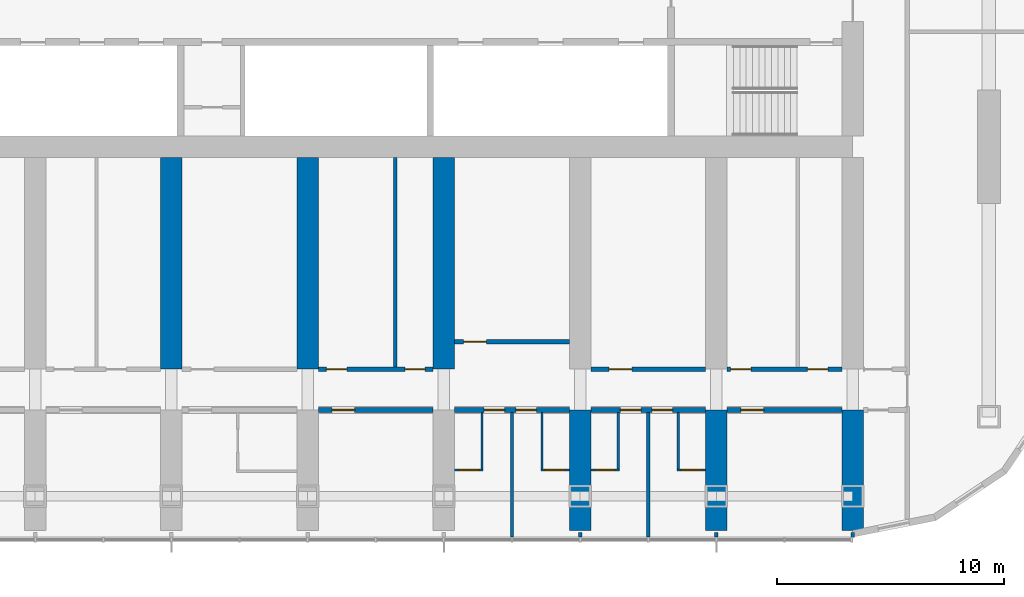
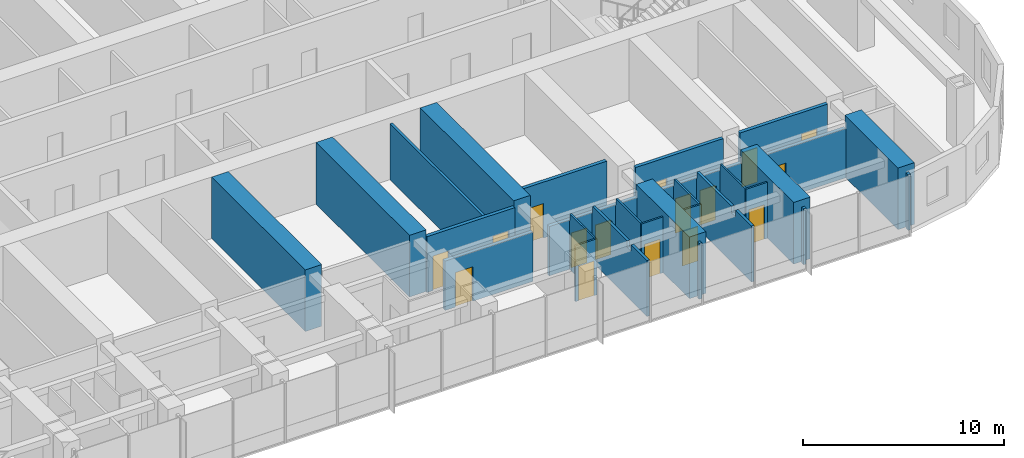
# One storey, part 10 of 20: 28 walls, 16 doors, 16 openings.
"""IFC4 building model written with IfcOpenShell, lengths in metres."""

from ifc_helpers import new_model, si_unit, direction, frame, frame_2d, origin, place, context, subcontext, project, spatial, polyline, rectangle, outline, extrude, material, layer, layer_set, type_object, element, fill, save


model = new_model("IFC4")

# Units and contexts
model_context = context("Model", 3, precision=1e-05, world=origin(), true_north=direction((0.0, 1.0)))
body_context = subcontext(model_context, "Body", "Model", "MODEL_VIEW")
ifc_project = project(units=[si_unit("LENGTHUNIT", "METRE"), si_unit("AREAUNIT", "SQUARE_METRE"), si_unit("VOLUMEUNIT", "CUBIC_METRE"), si_unit("PLANEANGLEUNIT", "RADIAN"), si_unit("MASSUNIT", "GRAM", prefix="KILO")], contexts=[model_context])

# Site, building, storey
site_placement = place(None, origin())
site = spatial("IfcSite", under=ifc_project, at=site_placement, CompositionType="ELEMENT")
building_placement = place(site_placement, origin())
building = spatial("IfcBuilding", under=site, at=building_placement, Name="Orbita Commons", CompositionType="ELEMENT")
storey_placement = place(building_placement, frame((0.0, 0.0, 129.39990234375)))
storey = spatial("IfcBuildingStorey", under=building, at=storey_placement, Name="L32", CompositionType="ELEMENT", Elevation=129.39990234375)

# Wall, opening, door
ifc_material_1 = material(Name="Concrete blockwork", Category="masonry")
ifc_layer_1 = layer(ifc_material_1, 0.199951171875)
ifc_layer_set_1 = layer_set([ifc_layer_1], Name="Concrete blockwork")
wall_type_1 = type_object("IfcWallType", Name="Corridor wall 200 blockwork", PredefinedType="SOLIDWALL", material=ifc_layer_set_1)
wall_1_placement = place(storey_placement, frame((42.47509765625, 14.199951171875, 0.0), z_axis=(0.0, 0.0, 1.0), x_axis=(1.0, 0.0, 0.0)))
wall_1 = element("IfcWall", 1, at=wall_1_placement, inside=storey, type_object=wall_type_1, Name="Corridor wall 200 blockwork L32", PredefinedType="SOLIDWALL", context=body_context, shape_type="SweptSolid", body=[
    extrude(outline(polyline([(0.0, 0.0), (5.0498046875, 0.0), (5.050048828125, 3.0), (0.0, 3.0), (0.0, 0.0)])), frame((0.0, 0.10009765625, 0.0), z_axis=(0.0, -1.0, 0.0), x_axis=(1.0, 0.0, 0.0)), (0.0, 0.0, 1.0), 0.199951171875),
])
opening_1_placement = place(wall_1_placement, frame((0.60009765625, 0.0, 0.0)))
opening_1 = element("IfcOpeningElement", 2, at=opening_1_placement, cuts=wall_1, Name="Opening D06", PredefinedType="OPENING", context=body_context, shape_type="SweptSolid", body=[
    extrude(rectangle(XDim=1.0, YDim=2.10009765625, at=frame_2d((0.5, 1.050048828125))), frame((0.0, 0.10986328125, 0.0), z_axis=(0.0, -1.0, 0.0), x_axis=(1.0, 0.0, 0.0)), (0.0, 0.0, 1.0), 0.219970703125),
])
ifc_material_2 = material(Name="Steel-faced fire door leaf", Category="steel")
door_type_1 = type_object("IfcDoorType", Name="Corridor door 20 min 1000x2100", OperationType="SINGLE_SWING_LEFT", PredefinedType="DOOR", material=ifc_material_2)
door_1_placement = place(opening_1_placement, origin())
door_1 = element("IfcDoor", 3, at=door_1_placement, inside=storey, type_object=door_type_1, Name="Mountain-view lounge L32-S10 door", OperationType="SINGLE_SWING_LEFT", OverallHeight=2.10009765625, OverallWidth=1.0, PredefinedType="DOOR", context=body_context, shape_type="SweptSolid", body=[
    extrude(rectangle(XDim=1.0, YDim=2.10009765625, at=frame_2d((0.5, 1.050048828125))), frame((0.0, 0.02490234375, 0.0), z_axis=(0.0, -1.0, 0.0), x_axis=(1.0, 0.0, 0.0)), (0.0, 0.0, 1.0), 0.050048828125),
])
fill(opening_1, door_1)

# Wall, openings, doors
wall_2_placement = place(storey_placement, frame((48.47509765625, 14.199951171875, 0.0), z_axis=(0.0, 0.0, 1.0), x_axis=(1.0, 0.0, 0.0)))
wall_2 = element("IfcWall", 4, at=wall_2_placement, inside=storey, type_object=wall_type_1, Name="Corridor wall 200 blockwork L32", PredefinedType="SOLIDWALL", context=body_context, shape_type="SweptSolid", body=[
    extrude(outline(polyline([(0.0, 0.0), (5.0498046875, 0.0), (5.050048828125, 3.0), (0.0, 3.0), (0.0, 0.0)])), frame((0.0, 0.10009765625, 0.0), z_axis=(0.0, -1.0, 0.0), x_axis=(1.0, 0.0, 0.0)), (0.0, 0.0, 1.0), 0.199951171875),
])
opening_2_placement = place(wall_2_placement, frame((1.300048828125, 0.0, 0.0)))
opening_2 = element("IfcOpeningElement", 5, at=opening_2_placement, cuts=wall_2, Name="Opening D11", PredefinedType="OPENING", context=body_context, shape_type="SweptSolid", body=[
    extrude(rectangle(XDim=0.89990234375, YDim=2.10009765625, at=frame_2d((0.449951171875, 1.050048828125))), frame((0.0, 0.10986328125, 0.0), z_axis=(0.0, -1.0, 0.0), x_axis=(1.0, 0.0, 0.0)), (0.0, 0.0, 1.0), 0.219970703125),
])
opening_3_placement = place(wall_2_placement, frame((2.699951171875, 0.0, 0.0)))
opening_3 = element("IfcOpeningElement", 6, at=opening_3_placement, cuts=wall_2, Name="Opening D11", PredefinedType="OPENING", context=body_context, shape_type="SweptSolid", body=[
    extrude(rectangle(XDim=0.89990234375, YDim=2.10009765625, at=frame_2d((0.449951171875, 1.050048828125))), frame((0.0, 0.10986328125, 0.0), z_axis=(0.0, -1.0, 0.0), x_axis=(1.0, 0.0, 0.0)), (0.0, 0.0, 1.0), 0.219970703125),
])
ifc_material_3 = material(Name="Steel-faced fire door leaf", Category="steel")
door_type_2 = type_object("IfcDoorType", Name="Corridor door 20 min 900x2100", OperationType="SINGLE_SWING_LEFT", PredefinedType="DOOR", material=ifc_material_3)
door_2_placement = place(opening_2_placement, origin())
door_2 = element("IfcDoor", 7, at=door_2_placement, inside=storey, type_object=door_type_2, Name="Cluster bedroom L32-S12 door", OperationType="SINGLE_SWING_LEFT", OverallHeight=2.10009765625, OverallWidth=0.89990234375, PredefinedType="DOOR", context=body_context, shape_type="SweptSolid", body=[
    extrude(rectangle(XDim=0.89990234375, YDim=2.10009765625, at=frame_2d((0.449951171875, 1.050048828125))), frame((0.0, 0.02490234375, 0.0), z_axis=(0.0, -1.0, 0.0), x_axis=(1.0, 0.0, 0.0)), (0.0, 0.0, 1.0), 0.050048828125),
])
fill(opening_2, door_2)
door_3_placement = place(opening_3_placement, origin())
door_3 = element("IfcDoor", 8, at=door_3_placement, inside=storey, type_object=door_type_2, Name="Cluster bedroom L32-S13 door", OperationType="SINGLE_SWING_LEFT", OverallHeight=2.10009765625, OverallWidth=0.89990234375, PredefinedType="DOOR", context=body_context, shape_type="SweptSolid", body=[
    extrude(rectangle(XDim=0.89990234375, YDim=2.10009765625, at=frame_2d((0.449951171875, 1.050048828125))), frame((0.0, 0.02490234375, 0.0), z_axis=(0.0, -1.0, 0.0), x_axis=(1.0, 0.0, 0.0)), (0.0, 0.0, 1.0), 0.050048828125),
])
fill(opening_3, door_3)

wall_3_placement = place(storey_placement, frame((54.47509765625, 14.199951171875, 0.0), z_axis=(0.0, 0.0, 1.0), x_axis=(1.0, 0.0, 0.0)))
wall_3 = element("IfcWall", 9, at=wall_3_placement, inside=storey, type_object=wall_type_1, Name="Corridor wall 200 blockwork L32", PredefinedType="SOLIDWALL", context=body_context, shape_type="SweptSolid", body=[
    extrude(outline(polyline([(0.0, 0.0), (5.0498046875, 0.0), (5.050048828125, 3.0), (0.0, 3.0), (0.0, 0.0)])), frame((0.0, 0.10009765625, 0.0), z_axis=(0.0, -1.0, 0.0), x_axis=(1.0, 0.0, 0.0)), (0.0, 0.0, 1.0), 0.199951171875),
])
opening_4_placement = place(wall_3_placement, frame((1.300048828125, 0.0, 0.0)))
opening_4 = element("IfcOpeningElement", 10, at=opening_4_placement, cuts=wall_3, Name="Opening D11", PredefinedType="OPENING", context=body_context, shape_type="SweptSolid", body=[
    extrude(rectangle(XDim=0.89990234375, YDim=2.10009765625, at=frame_2d((0.449951171875, 1.050048828125))), frame((0.0, 0.10986328125, 0.0), z_axis=(0.0, -1.0, 0.0), x_axis=(1.0, 0.0, 0.0)), (0.0, 0.0, 1.0), 0.219970703125),
])
opening_5_placement = place(wall_3_placement, frame((2.699951171875, 0.0, 0.0)))
opening_5 = element("IfcOpeningElement", 11, at=opening_5_placement, cuts=wall_3, Name="Opening D11", PredefinedType="OPENING", context=body_context, shape_type="SweptSolid", body=[
    extrude(rectangle(XDim=0.89990234375, YDim=2.10009765625, at=frame_2d((0.449951171875, 1.050048828125))), frame((0.0, 0.10986328125, 0.0), z_axis=(0.0, -1.0, 0.0), x_axis=(1.0, 0.0, 0.0)), (0.0, 0.0, 1.0), 0.219970703125),
])
door_4_placement = place(opening_4_placement, origin())
door_4 = element("IfcDoor", 12, at=door_4_placement, inside=storey, type_object=door_type_2, Name="Cluster bedroom L32-S14 door", OperationType="SINGLE_SWING_LEFT", OverallHeight=2.10009765625, OverallWidth=0.89990234375, PredefinedType="DOOR", context=body_context, shape_type="SweptSolid", body=[
    extrude(rectangle(XDim=0.89990234375, YDim=2.10009765625, at=frame_2d((0.449951171875, 1.050048828125))), frame((0.0, 0.02490234375, 0.0), z_axis=(0.0, -1.0, 0.0), x_axis=(1.0, 0.0, 0.0)), (0.0, 0.0, 1.0), 0.050048828125),
])
fill(opening_4, door_4)
door_5_placement = place(opening_5_placement, origin())
door_5 = element("IfcDoor", 13, at=door_5_placement, inside=storey, type_object=door_type_2, Name="Cluster bedroom L32-S15 door", OperationType="SINGLE_SWING_LEFT", OverallHeight=2.10009765625, OverallWidth=0.89990234375, PredefinedType="DOOR", context=body_context, shape_type="SweptSolid", body=[
    extrude(rectangle(XDim=0.89990234375, YDim=2.10009765625, at=frame_2d((0.449951171875, 1.050048828125))), frame((0.0, 0.02490234375, 0.0), z_axis=(0.0, -1.0, 0.0), x_axis=(1.0, 0.0, 0.0)), (0.0, 0.0, 1.0), 0.050048828125),
])
fill(opening_5, door_5)

# Wall, opening, door
wall_4_placement = place(storey_placement, frame((60.47509765625, 14.199951171875, 0.0), z_axis=(0.0, 0.0, 1.0), x_axis=(1.0, 0.0, 0.0)))
wall_4 = element("IfcWall", 14, at=wall_4_placement, inside=storey, type_object=wall_type_1, Name="Corridor wall 200 blockwork L32", PredefinedType="SOLIDWALL", context=body_context, shape_type="SweptSolid", body=[
    extrude(outline(polyline([(0.0, 0.0), (5.0498046875, 0.0), (5.050048828125, 3.0), (0.0, 3.0), (0.0, 0.0)])), frame((0.0, 0.10009765625, 0.0), z_axis=(0.0, -1.0, 0.0), x_axis=(1.0, 0.0, 0.0)), (0.0, 0.0, 1.0), 0.199951171875),
])
opening_6_placement = place(wall_4_placement, frame((0.60009765625, 0.0, 0.0)))
opening_6 = element("IfcOpeningElement", 15, at=opening_6_placement, cuts=wall_4, Name="Opening D06", PredefinedType="OPENING", context=body_context, shape_type="SweptSolid", body=[
    extrude(rectangle(XDim=1.0, YDim=2.10009765625, at=frame_2d((0.5, 1.050048828125))), frame((0.0, 0.10986328125, 0.0), z_axis=(0.0, -1.0, 0.0), x_axis=(1.0, 0.0, 0.0)), (0.0, 0.0, 1.0), 0.219970703125),
])
door_6_placement = place(opening_6_placement, origin())
door_6 = element("IfcDoor", 16, at=door_6_placement, inside=storey, type_object=door_type_1, Name="Cluster kitchen-diner L32-S16 door", OperationType="SINGLE_SWING_LEFT", OverallHeight=2.10009765625, OverallWidth=1.0, PredefinedType="DOOR", context=body_context, shape_type="SweptSolid", body=[
    extrude(rectangle(XDim=1.0, YDim=2.10009765625, at=frame_2d((0.5, 1.050048828125))), frame((0.0, 0.02490234375, 0.0), z_axis=(0.0, -1.0, 0.0), x_axis=(1.0, 0.0, 0.0)), (0.0, 0.0, 1.0), 0.050048828125),
])
fill(opening_6, door_6)

# Wall, openings, doors
ifc_material_4 = material(Name="Hollow concrete block 200", Category="concrete")
ifc_layer_2 = layer(ifc_material_4, 0.199951171875)
ifc_layer_set_2 = layer_set([ifc_layer_2], Name="Hollow concrete block 200")
wall_type_2 = type_object("IfcWallType", Name="Corridor wall 200 hollow concrete block", PredefinedType="SOLIDWALL", material=ifc_layer_set_2)
wall_5_placement = place(storey_placement, frame((42.47509765625, 16.0, 0.0), z_axis=(0.0, 0.0, 1.0), x_axis=(1.0, 0.0, 0.0)))
wall_5 = element("IfcWall", 17, at=wall_5_placement, inside=storey, type_object=wall_type_2, Name="Corridor wall 200 hollow concrete block L32", PredefinedType="SOLIDWALL", context=body_context, shape_type="SweptSolid", body=[
    extrude(rectangle(XDim=5.0498046875, YDim=0.199951171875, at=frame_2d((2.52490234375, 0.0))), origin(), (0.0, 0.0, 1.0), 3.400146484375),
])
opening_7_placement = place(wall_5_placement, frame((0.35009765625, 0.0, 0.0)))
opening_7 = element("IfcOpeningElement", 18, at=opening_7_placement, cuts=wall_5, Name="Opening D11", PredefinedType="OPENING", context=body_context, shape_type="SweptSolid", body=[
    extrude(rectangle(XDim=0.89990234375, YDim=2.10009765625, at=frame_2d((0.449951171875, 1.050048828125))), frame((0.0, 0.10986328125, 0.0), z_axis=(0.0, -1.0, 0.0), x_axis=(1.0, 0.0, 0.0)), (0.0, 0.0, 1.0), 0.219970703125),
])
opening_8_placement = place(wall_5_placement, frame((3.804931640625, 0.0, 0.0)))
opening_8 = element("IfcOpeningElement", 19, at=opening_8_placement, cuts=wall_5, Name="Opening D11", PredefinedType="OPENING", context=body_context, shape_type="SweptSolid", body=[
    extrude(rectangle(XDim=0.89990234375, YDim=2.10009765625, at=frame_2d((0.449951171875, 1.050048828125))), frame((0.0, 0.10986328125, 0.0), z_axis=(0.0, -1.0, 0.0), x_axis=(1.0, 0.0, 0.0)), (0.0, 0.0, 1.0), 0.219970703125),
])
door_7_placement = place(opening_7_placement, origin())
door_7 = element("IfcDoor", 20, at=door_7_placement, inside=storey, type_object=door_type_2, Name="Meeting room L32-BDS42 door", OperationType="SINGLE_SWING_LEFT", OverallHeight=2.10009765625, OverallWidth=0.89990234375, PredefinedType="DOOR", context=body_context, shape_type="SweptSolid", body=[
    extrude(rectangle(XDim=0.89990234375, YDim=2.10009765625, at=frame_2d((0.449951171875, 1.050048828125))), frame((0.0, 0.02490234375, 0.0), z_axis=(0.0, -1.0, 0.0), x_axis=(1.0, 0.0, 0.0)), (0.0, 0.0, 1.0), 0.050048828125),
])
fill(opening_7, door_7)
door_8_placement = place(opening_8_placement, origin())
door_8 = element("IfcDoor", 21, at=door_8_placement, inside=storey, type_object=door_type_2, Name="Water heater cupboard L32-BDS42n door", OperationType="SINGLE_SWING_LEFT", OverallHeight=2.10009765625, OverallWidth=0.89990234375, PredefinedType="DOOR", context=body_context, shape_type="SweptSolid", body=[
    extrude(rectangle(XDim=0.89990234375, YDim=2.10009765625, at=frame_2d((0.449951171875, 1.050048828125))), frame((0.0, 0.02490234375, 0.0), z_axis=(0.0, -1.0, 0.0), x_axis=(1.0, 0.0, 0.0)), (0.0, 0.0, 1.0), 0.050048828125),
])
fill(opening_8, door_8)

# Wall, opening, door
wall_6_placement = place(storey_placement, frame((54.47509765625, 16.0, 0.0), z_axis=(0.0, 0.0, 1.0), x_axis=(1.0, 0.0, 0.0)))
wall_6 = element("IfcWall", 22, at=wall_6_placement, inside=storey, type_object=wall_type_2, Name="Corridor wall 200 hollow concrete block L32", PredefinedType="SOLIDWALL", context=body_context, shape_type="SweptSolid", body=[
    extrude(rectangle(XDim=5.0498046875, YDim=0.199951171875, at=frame_2d((2.52490234375, 0.0))), origin(), (0.0, 0.0, 1.0), 3.400146484375),
])
opening_9_placement = place(wall_6_placement, frame((0.800048828125, 0.0, 0.0)))
opening_9 = element("IfcOpeningElement", 23, at=opening_9_placement, cuts=wall_6, Name="Opening D06", PredefinedType="OPENING", context=body_context, shape_type="SweptSolid", body=[
    extrude(rectangle(XDim=1.0, YDim=2.10009765625, at=frame_2d((0.5, 1.050048828125))), frame((0.0, 0.10986328125, 0.0), z_axis=(0.0, -1.0, 0.0), x_axis=(1.0, 0.0, 0.0)), (0.0, 0.0, 1.0), 0.219970703125),
])
door_9_placement = place(opening_9_placement, origin())
door_9 = element("IfcDoor", 24, at=door_9_placement, inside=storey, type_object=door_type_1, Name="Cluster pantry L32-BDS54 door", OperationType="SINGLE_SWING_LEFT", OverallHeight=2.10009765625, OverallWidth=1.0, PredefinedType="DOOR", context=body_context, shape_type="SweptSolid", body=[
    extrude(rectangle(XDim=1.0, YDim=2.10009765625, at=frame_2d((0.5, 1.050048828125))), frame((0.0, 0.02490234375, 0.0), z_axis=(0.0, -1.0, 0.0), x_axis=(1.0, 0.0, 0.0)), (0.0, 0.0, 1.0), 0.050048828125),
])
fill(opening_9, door_9)

# Wall, openings, doors
wall_7_placement = place(storey_placement, frame((60.47509765625, 16.0, 0.0), z_axis=(0.0, 0.0, 1.0), x_axis=(1.0, 0.0, 0.0)))
wall_7 = element("IfcWall", 25, at=wall_7_placement, inside=storey, type_object=wall_type_2, Name="Corridor wall 200 hollow concrete block L32", PredefinedType="SOLIDWALL", context=body_context, shape_type="SweptSolid", body=[
    extrude(rectangle(XDim=5.0498046875, YDim=0.199951171875, at=frame_2d((2.52490234375, 0.0))), origin(), (0.0, 0.0, 1.0), 3.400146484375),
])
opening_10_placement = place(wall_7_placement, frame((0.14990234375, 0.0, 0.0)))
opening_10 = element("IfcOpeningElement", 26, at=opening_10_placement, cuts=wall_7, Name="Opening D11", PredefinedType="OPENING", context=body_context, shape_type="SweptSolid", body=[
    extrude(rectangle(XDim=0.89990234375, YDim=2.10009765625, at=frame_2d((0.449951171875, 1.050048828125))), frame((0.0, 0.10986328125, 0.0), z_axis=(0.0, -1.0, 0.0), x_axis=(1.0, 0.0, 0.0)), (0.0, 0.0, 1.0), 0.219970703125),
])
opening_11_placement = place(wall_7_placement, frame((3.534912109375, 0.0, 0.0)))
opening_11 = element("IfcOpeningElement", 27, at=opening_11_placement, cuts=wall_7, Name="Opening D11", PredefinedType="OPENING", context=body_context, shape_type="SweptSolid", body=[
    extrude(rectangle(XDim=0.89990234375, YDim=2.10009765625, at=frame_2d((0.449951171875, 1.050048828125))), frame((0.0, 0.10986328125, 0.0), z_axis=(0.0, -1.0, 0.0), x_axis=(1.0, 0.0, 0.0)), (0.0, 0.0, 1.0), 0.219970703125),
])
door_10_placement = place(opening_10_placement, origin())
door_10 = element("IfcDoor", 28, at=door_10_placement, inside=storey, type_object=door_type_2, Name="IT and print room L32-BDS60 door", OperationType="SINGLE_SWING_LEFT", OverallHeight=2.10009765625, OverallWidth=0.89990234375, PredefinedType="DOOR", context=body_context, shape_type="SweptSolid", body=[
    extrude(rectangle(XDim=0.89990234375, YDim=2.10009765625, at=frame_2d((0.449951171875, 1.050048828125))), frame((0.0, 0.02490234375, 0.0), z_axis=(0.0, -1.0, 0.0), x_axis=(1.0, 0.0, 0.0)), (0.0, 0.0, 1.0), 0.050048828125),
])
fill(opening_10, door_10)
door_11_placement = place(opening_11_placement, origin())
door_11 = element("IfcDoor", 29, at=door_11_placement, inside=storey, type_object=door_type_2, Name="Battery and UPS room L32-BDS60n door", OperationType="SINGLE_SWING_LEFT", OverallHeight=2.10009765625, OverallWidth=0.89990234375, PredefinedType="DOOR", context=body_context, shape_type="SweptSolid", body=[
    extrude(rectangle(XDim=0.89990234375, YDim=2.10009765625, at=frame_2d((0.449951171875, 1.050048828125))), frame((0.0, 0.02490234375, 0.0), z_axis=(0.0, -1.0, 0.0), x_axis=(1.0, 0.0, 0.0)), (0.0, 0.0, 1.0), 0.050048828125),
])
fill(opening_11, door_11)

# Wall, opening, door
wall_8_placement = place(storey_placement, frame((48.47509765625, 17.199951171875, 0.0), z_axis=(0.0, 0.0, 1.0), x_axis=(1.0, 0.0, 0.0)))
wall_8 = element("IfcWall", 30, at=wall_8_placement, inside=storey, type_object=wall_type_2, Name="Corridor wall 200 hollow concrete block L32", PredefinedType="SOLIDWALL", context=body_context, shape_type="SweptSolid", body=[
    extrude(rectangle(XDim=5.0498046875, YDim=0.199951171875, at=frame_2d((2.52490234375, 0.0))), origin(), (0.0, 0.0, 1.0), 3.400146484375),
])
opening_12_placement = place(wall_8_placement, frame((0.39990234375, 0.0, 0.0)))
opening_12 = element("IfcOpeningElement", 31, at=opening_12_placement, cuts=wall_8, Name="Opening D06", PredefinedType="OPENING", context=body_context, shape_type="SweptSolid", body=[
    extrude(rectangle(XDim=1.0, YDim=2.10009765625, at=frame_2d((0.5, 1.050048828125))), frame((0.0, 0.10986328125, 0.0), z_axis=(0.0, -1.0, 0.0), x_axis=(1.0, 0.0, 0.0)), (0.0, 0.0, 1.0), 0.219970703125),
])
door_12_placement = place(opening_12_placement, origin())
door_12 = element("IfcDoor", 32, at=door_12_placement, inside=storey, type_object=door_type_1, Name="Drying room L32-BDS48 door", OperationType="SINGLE_SWING_LEFT", OverallHeight=2.10009765625, OverallWidth=1.0, PredefinedType="DOOR", context=body_context, shape_type="SweptSolid", body=[
    extrude(rectangle(XDim=1.0, YDim=2.10009765625, at=frame_2d((0.5, 1.050048828125))), frame((0.0, 0.02490234375, 0.0), z_axis=(0.0, -1.0, 0.0), x_axis=(1.0, 0.0, 0.0)), (0.0, 0.0, 1.0), 0.050048828125),
])
fill(opening_12, door_12)

# Walls
ifc_material_5 = material(Name="Concrete C50/60", Category="concrete")
ifc_layer_3 = layer(ifc_material_5, 0.949951171875)
ifc_layer_set_3 = layer_set([ifc_layer_3], Name="Concrete C50/60")
wall_type_3 = type_object("IfcWallType", Name="Cross wall 950 C50/60", PredefinedType="SHEAR", material=ifc_layer_set_3)
for number, where, z_axis, x_axis, name in (
    (33, (36.0, 16.0, 0.0), (0.0, 0.0, 1.0), (0.0, 1.0, 0.0), "Cross wall 7 south inner L32"),
    (34, (42.0, 16.0, 0.0), (0.0, 0.0, 1.0), (0.0, 1.0, 0.0), "Cross wall 8 south inner L32"),
    (35, (48.0, 16.0, 0.0), (0.0, 0.0, 1.0), (0.0, 1.0, 0.0), "Cross wall 9 south inner L32"),
):
    element("IfcWall", number, at=place(storey_placement, frame(where, z_axis=z_axis, x_axis=x_axis)), inside=storey, type_object=wall_type_3, Name=name, PredefinedType="SHEAR", context=body_context, shape_type="SweptSolid", body=[
        extrude(rectangle(XDim=9.324951171875, YDim=0.949951171875, at=frame_2d((4.66259765625, 0.0))), origin(), (0.0, 0.0, 1.0), 3.75),
    ])
for number, where, z_axis, x_axis, name in (
    (36, (54.0, 8.89990234375, 0.0), (0.0, 0.0, 1.0), (0.0, 1.0, 0.0), "Cross wall 10 south outer L32"),
    (37, (60.0, 8.89990234375, 0.0), (0.0, 0.0, 1.0), (0.0, 1.0, 0.0), "Cross wall 11 south outer L32"),
    (38, (66.0, 8.89990234375, 0.0), (0.0, 0.0, 1.0), (0.0, 1.0, 0.0), "Cross wall 12 south outer L32"),
):
    element("IfcWall", number, at=place(storey_placement, frame(where, z_axis=z_axis, x_axis=x_axis)), inside=storey, type_object=wall_type_3, Name=name, PredefinedType="SHEAR", context=body_context, shape_type="SweptSolid", body=[
        extrude(rectangle(XDim=5.300048828125, YDim=0.949951171875, at=frame_2d((2.64990234375, 0.0))), origin(), (0.0, 0.0, 1.0), 3.75),
    ])

# Wall, opening, door
ifc_material_6 = material(Name="Moisture-resistant plasterboard on steel studs", Category="steel")
ifc_layer_4 = layer(ifc_material_6, 0.10009765625)
ifc_layer_set_4 = layer_set([ifc_layer_4], Name="Moisture-resistant plasterboard on steel studs")
wall_type_4 = type_object("IfcWallType", Name="En-suite partition 100", PredefinedType="PARTITIONING", material=ifc_layer_set_4)
wall_9_placement = place(storey_placement, frame((49.72509765625, 11.558349609375, 0.0), z_axis=(0.0, 0.0, 1.0), x_axis=(-1.0, 0.0, 0.0)))
wall_9 = element("IfcWall", 39, at=wall_9_placement, inside=storey, type_object=wall_type_4, Name="En-suite partition 100 L32", PredefinedType="PARTITIONING", context=body_context, shape_type="SweptSolid", body=[
    extrude(rectangle(XDim=1.25, YDim=0.10009765625, at=frame_2d((0.625, 0.0))), origin(), (0.0, 0.0, 1.0), 3.400146484375),
])
opening_13_placement = place(wall_9_placement, frame((0.175048828125, 0.0, 0.0)))
opening_13 = element("IfcOpeningElement", 40, at=opening_13_placement, cuts=wall_9, Name="Opening D09", PredefinedType="OPENING", context=body_context, shape_type="SweptSolid", body=[
    extrude(rectangle(XDim=0.89990234375, YDim=2.10009765625, at=frame_2d((0.449951171875, 1.050048828125))), frame((0.0, 0.06005859375, 0.0), z_axis=(0.0, -1.0, 0.0), x_axis=(1.0, 0.0, 0.0)), (0.0, 0.0, 1.0), 0.1201171875),
])
ifc_material_7 = material(Name="Laminated timber door leaf", Category="wood")
door_type_3 = type_object("IfcDoorType", Name="En-suite door 900x2100", OperationType="SINGLE_SWING_RIGHT", PredefinedType="DOOR", material=ifc_material_7)
door_13_placement = place(opening_13_placement, origin())
door_13 = element("IfcDoor", 41, at=door_13_placement, inside=storey, type_object=door_type_3, Name="En-suite L32-S12 door", OperationType="SINGLE_SWING_RIGHT", OverallHeight=2.10009765625, OverallWidth=0.89990234375, PredefinedType="DOOR", context=body_context, shape_type="SweptSolid", body=[
    extrude(rectangle(XDim=0.89990234375, YDim=2.10009765625, at=frame_2d((0.449951171875, 1.050048828125))), frame((0.0, 0.02490234375, 0.0), z_axis=(0.0, -1.0, 0.0), x_axis=(1.0, 0.0, 0.0)), (0.0, 0.0, 1.0), 0.050048828125),
])
fill(opening_13, door_13)

# Wall
wall_10_placement = place(storey_placement, frame((49.675048828125, 11.6083984375, 0.0), z_axis=(0.0, 0.0, 1.0), x_axis=(0.0, 1.0, 0.0)))
element("IfcWall", 42, at=wall_10_placement, inside=storey, type_object=wall_type_4, Name="En-suite partition 100 L32", PredefinedType="PARTITIONING", context=body_context, shape_type="SweptSolid", body=[
    extrude(outline(polyline([(0.0, 0.0), (2.49169921875, 0.0), (2.49169921875, 3.0), (2.443603515625, 3.0), (2.441650390625, 3.400146484375), (0.0, 3.400146484375), (0.0, 0.0)])), frame((0.0, 0.050048828125, 0.0), z_axis=(0.0, -1.0, 0.0), x_axis=(1.0, 0.0, 0.0)), (0.0, 0.0, 1.0), 0.10009765625),
])

# Wall, opening, door
wall_11_placement = place(storey_placement, frame((53.52490234375, 11.558349609375, 0.0), z_axis=(0.0, 0.0, 1.0), x_axis=(-1.0, 0.0, 0.0)))
wall_11 = element("IfcWall", 43, at=wall_11_placement, inside=storey, type_object=wall_type_4, Name="En-suite partition 100 L32", PredefinedType="PARTITIONING", context=body_context, shape_type="SweptSolid", body=[
    extrude(rectangle(XDim=1.25, YDim=0.10009765625, at=frame_2d((0.625, 0.0))), origin(), (0.0, 0.0, 1.0), 3.400146484375),
])
opening_14_placement = place(wall_11_placement, frame((0.175048828125, 0.0, 0.0)))
opening_14 = element("IfcOpeningElement", 44, at=opening_14_placement, cuts=wall_11, Name="Opening D09", PredefinedType="OPENING", context=body_context, shape_type="SweptSolid", body=[
    extrude(rectangle(XDim=0.89990234375, YDim=2.10009765625, at=frame_2d((0.449951171875, 1.050048828125))), frame((0.0, 0.06005859375, 0.0), z_axis=(0.0, -1.0, 0.0), x_axis=(1.0, 0.0, 0.0)), (0.0, 0.0, 1.0), 0.1201171875),
])
door_14_placement = place(opening_14_placement, origin())
door_14 = element("IfcDoor", 45, at=door_14_placement, inside=storey, type_object=door_type_3, Name="En-suite L32-S13 door", OperationType="SINGLE_SWING_RIGHT", OverallHeight=2.10009765625, OverallWidth=0.89990234375, PredefinedType="DOOR", context=body_context, shape_type="SweptSolid", body=[
    extrude(rectangle(XDim=0.89990234375, YDim=2.10009765625, at=frame_2d((0.449951171875, 1.050048828125))), frame((0.0, 0.02490234375, 0.0), z_axis=(0.0, -1.0, 0.0), x_axis=(1.0, 0.0, 0.0)), (0.0, 0.0, 1.0), 0.050048828125),
])
fill(opening_14, door_14)

# Wall
wall_12_placement = place(storey_placement, frame((52.324951171875, 11.6083984375, 0.0), z_axis=(0.0, 0.0, 1.0), x_axis=(0.0, 1.0, 0.0)))
element("IfcWall", 46, at=wall_12_placement, inside=storey, type_object=wall_type_4, Name="En-suite partition 100 L32", PredefinedType="PARTITIONING", context=body_context, shape_type="SweptSolid", body=[
    extrude(outline(polyline([(0.0, 0.0), (2.49169921875, 0.0), (2.49169921875, 3.0), (2.443603515625, 3.0), (2.441650390625, 3.400146484375), (0.0, 3.400146484375), (0.0, 0.0)])), frame((0.0, 0.050048828125, 0.0), z_axis=(0.0, -1.0, 0.0), x_axis=(1.0, 0.0, 0.0)), (0.0, 0.0, 1.0), 0.10009765625),
])

# Wall, opening, door
wall_13_placement = place(storey_placement, frame((55.72509765625, 11.558349609375, 0.0), z_axis=(0.0, 0.0, 1.0), x_axis=(-1.0, 0.0, 0.0)))
wall_13 = element("IfcWall", 47, at=wall_13_placement, inside=storey, type_object=wall_type_4, Name="En-suite partition 100 L32", PredefinedType="PARTITIONING", context=body_context, shape_type="SweptSolid", body=[
    extrude(rectangle(XDim=1.25, YDim=0.10009765625, at=frame_2d((0.625, 0.0))), origin(), (0.0, 0.0, 1.0), 3.400146484375),
])
opening_15_placement = place(wall_13_placement, frame((0.175048828125, 0.0, 0.0)))
opening_15 = element("IfcOpeningElement", 48, at=opening_15_placement, cuts=wall_13, Name="Opening D09", PredefinedType="OPENING", context=body_context, shape_type="SweptSolid", body=[
    extrude(rectangle(XDim=0.89990234375, YDim=2.10009765625, at=frame_2d((0.449951171875, 1.050048828125))), frame((0.0, 0.06005859375, 0.0), z_axis=(0.0, -1.0, 0.0), x_axis=(1.0, 0.0, 0.0)), (0.0, 0.0, 1.0), 0.1201171875),
])
door_15_placement = place(opening_15_placement, origin())
door_15 = element("IfcDoor", 49, at=door_15_placement, inside=storey, type_object=door_type_3, Name="En-suite L32-S14 door", OperationType="SINGLE_SWING_RIGHT", OverallHeight=2.10009765625, OverallWidth=0.89990234375, PredefinedType="DOOR", context=body_context, shape_type="SweptSolid", body=[
    extrude(rectangle(XDim=0.89990234375, YDim=2.10009765625, at=frame_2d((0.449951171875, 1.050048828125))), frame((0.0, 0.02490234375, 0.0), z_axis=(0.0, -1.0, 0.0), x_axis=(1.0, 0.0, 0.0)), (0.0, 0.0, 1.0), 0.050048828125),
])
fill(opening_15, door_15)

# Wall
wall_14_placement = place(storey_placement, frame((55.675048828125, 11.6083984375, 0.0), z_axis=(0.0, 0.0, 1.0), x_axis=(0.0, 1.0, 0.0)))
element("IfcWall", 50, at=wall_14_placement, inside=storey, type_object=wall_type_4, Name="En-suite partition 100 L32", PredefinedType="PARTITIONING", context=body_context, shape_type="SweptSolid", body=[
    extrude(outline(polyline([(0.0, 0.0), (2.49169921875, 0.0), (2.49169921875, 3.0), (2.443603515625, 3.0), (2.441650390625, 3.400146484375), (0.0, 3.400146484375), (0.0, 0.0)])), frame((0.0, 0.050048828125, 0.0), z_axis=(0.0, -1.0, 0.0), x_axis=(1.0, 0.0, 0.0)), (0.0, 0.0, 1.0), 0.10009765625),
])

# Wall, opening, door
wall_15_placement = place(storey_placement, frame((59.52490234375, 11.558349609375, 0.0), z_axis=(0.0, 0.0, 1.0), x_axis=(-1.0, 0.0, 0.0)))
wall_15 = element("IfcWall", 51, at=wall_15_placement, inside=storey, type_object=wall_type_4, Name="En-suite partition 100 L32", PredefinedType="PARTITIONING", context=body_context, shape_type="SweptSolid", body=[
    extrude(rectangle(XDim=1.25, YDim=0.10009765625, at=frame_2d((0.625, 0.0))), origin(), (0.0, 0.0, 1.0), 3.400146484375),
])
opening_16_placement = place(wall_15_placement, frame((0.175048828125, 0.0, 0.0)))
opening_16 = element("IfcOpeningElement", 52, at=opening_16_placement, cuts=wall_15, Name="Opening D09", PredefinedType="OPENING", context=body_context, shape_type="SweptSolid", body=[
    extrude(rectangle(XDim=0.89990234375, YDim=2.10009765625, at=frame_2d((0.449951171875, 1.050048828125))), frame((0.0, 0.06005859375, 0.0), z_axis=(0.0, -1.0, 0.0), x_axis=(1.0, 0.0, 0.0)), (0.0, 0.0, 1.0), 0.1201171875),
])
door_16_placement = place(opening_16_placement, origin())
door_16 = element("IfcDoor", 53, at=door_16_placement, inside=storey, type_object=door_type_3, Name="En-suite L32-S15 door", OperationType="SINGLE_SWING_RIGHT", OverallHeight=2.10009765625, OverallWidth=0.89990234375, PredefinedType="DOOR", context=body_context, shape_type="SweptSolid", body=[
    extrude(rectangle(XDim=0.89990234375, YDim=2.10009765625, at=frame_2d((0.449951171875, 1.050048828125))), frame((0.0, 0.02490234375, 0.0), z_axis=(0.0, -1.0, 0.0), x_axis=(1.0, 0.0, 0.0)), (0.0, 0.0, 1.0), 0.050048828125),
])
fill(opening_16, door_16)

# Walls
wall_16_placement = place(storey_placement, frame((58.324951171875, 11.6083984375, 0.0), z_axis=(0.0, 0.0, 1.0), x_axis=(0.0, 1.0, 0.0)))
element("IfcWall", 54, at=wall_16_placement, inside=storey, type_object=wall_type_4, Name="En-suite partition 100 L32", PredefinedType="PARTITIONING", context=body_context, shape_type="SweptSolid", body=[
    extrude(outline(polyline([(0.0, 0.0), (2.49169921875, 0.0), (2.49169921875, 3.0), (2.443603515625, 3.0), (2.441650390625, 3.400146484375), (0.0, 3.400146484375), (0.0, 0.0)])), frame((0.0, 0.050048828125, 0.0), z_axis=(0.0, -1.0, 0.0), x_axis=(1.0, 0.0, 0.0)), (0.0, 0.0, 1.0), 0.10009765625),
])
ifc_material_8 = material(Name="Gypsum plasterboard on steel studs", Category="steel")
ifc_layer_5 = layer(ifc_material_8, 0.14990234375)
ifc_layer_set_5 = layer_set([ifc_layer_5], Name="Gypsum plasterboard on steel studs")
wall_type_5 = type_object("IfcWallType", Name="Partition 150 plasterboard", PredefinedType="PARTITIONING", material=ifc_layer_set_5)
wall_17_placement = place(storey_placement, frame((45.85498046875, 16.10009765625, 0.0), z_axis=(0.0, 0.0, 1.0), x_axis=(0.0, 1.0, 0.0)))
element("IfcWall", 55, at=wall_17_placement, inside=storey, type_object=wall_type_5, Name="Partition 150 plasterboard L32", PredefinedType="PARTITIONING", context=body_context, shape_type="SweptSolid", body=[
    extrude(rectangle(XDim=9.224853515625, YDim=0.14990234375, at=frame_2d((4.6123046875, 0.0))), origin(), (0.0, 0.0, 1.0), 3.400146484375),
])
for number, where, z_axis, x_axis, name in (
    (56, (54.0, 8.800048828125, 0.0), (0.0, 0.0, 1.0), (0.0, -1.0, 0.0), "Partition 150 plasterboard L32"),
    (57, (60.0, 8.800048828125, 0.0), (0.0, 0.0, 1.0), (0.0, -1.0, 0.0), "Partition 150 plasterboard L32"),
):
    element("IfcWall", number, at=place(storey_placement, frame(where, z_axis=z_axis, x_axis=x_axis)), inside=storey, type_object=wall_type_5, Name=name, PredefinedType="PARTITIONING", context=body_context, shape_type="SweptSolid", body=[
        extrude(rectangle(XDim=0.18994140625, YDim=0.14990234375, at=frame_2d((0.094970703125, 0.0))), origin(), (0.0, 0.0, 1.0), 3.400146484375),
    ])
wall_18_placement = place(storey_placement, frame((66.0, 8.800048828125, 0.0), z_axis=(0.0, 0.0, 1.0), x_axis=(0.0, -1.0, 0.0)))
element("IfcWall", 58, at=wall_18_placement, inside=storey, type_object=wall_type_5, Name="Partition 150 plasterboard L32", PredefinedType="PARTITIONING", context=body_context, shape_type="SweptSolid", body=[
    extrude(rectangle(XDim=0.219970703125, YDim=0.14990234375, at=frame_2d((0.10986328125, 0.0))), origin(), (0.0, 0.0, 1.0), 3.400146484375),
])
ifc_material_9 = material(Name="Gypsum plasterboard on steel studs", Category="steel")
ifc_layer_6 = layer(ifc_material_9, 0.14990234375)
ifc_layer_set_6 = layer_set([ifc_layer_6], Name="Gypsum plasterboard on steel studs")
wall_type_6 = type_object("IfcWallType", Name="Party wall 150 plasterboard", PredefinedType="PARTITIONING", material=ifc_layer_set_6)
for number, where, z_axis, x_axis, name in (
    (59, (51.0, 8.610107421875, 0.0), (0.0, 0.0, 1.0), (0.0, 1.0, 0.0), "Party wall 150 plasterboard L32"),
    (60, (57.0, 8.610107421875, 0.0), (0.0, 0.0, 1.0), (0.0, 1.0, 0.0), "Party wall 150 plasterboard L32"),
):
    element("IfcWall", number, at=place(storey_placement, frame(where, z_axis=z_axis, x_axis=x_axis)), inside=storey, type_object=wall_type_6, Name=name, PredefinedType="PARTITIONING", context=body_context, shape_type="SweptSolid", body=[
        extrude(outline(polyline([(0.0, 0.0), (5.489990234375, 0.0), (5.489990234375, 3.0), (5.44189453125, 3.0), (5.43994140625, 3.400146484375), (1.991943359375, 3.400146484375), (1.989990234375, 3.0), (1.592041015625, 3.0), (1.590087890625, 3.400146484375), (0.0, 3.400146484375), (0.0, 0.0)])), frame((0.0, 0.074951171875, 0.0), z_axis=(0.0, -1.0, 0.0), x_axis=(1.0, 0.0, 0.0)), (0.0, 0.0, 1.0), 0.14990234375),
    ])

save(model, "model.ifc")
